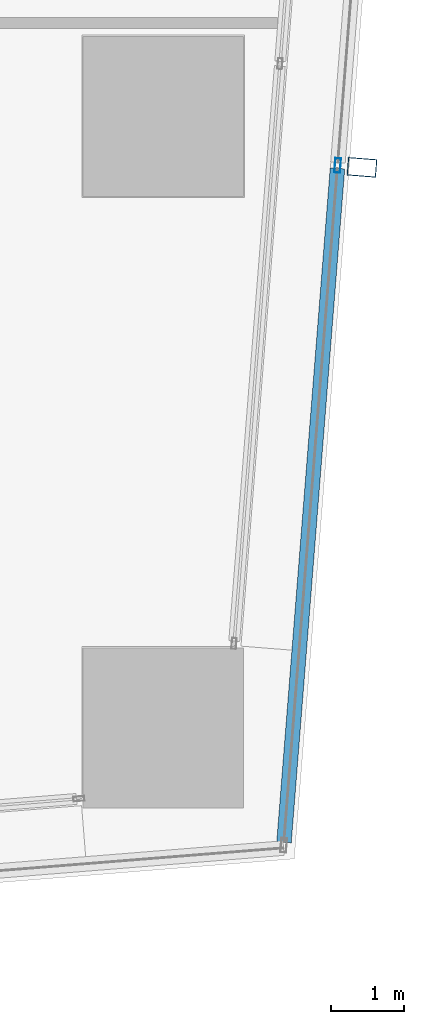
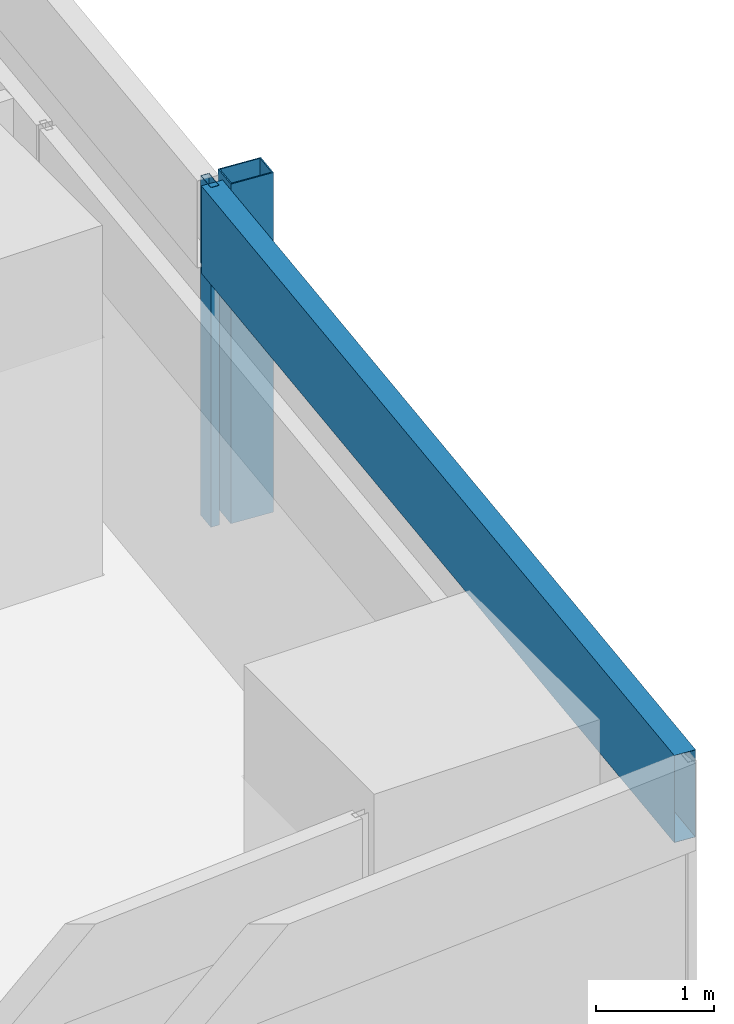
# One storey, part 25 of 45: 3 members, 1 element without a shape of its own.
"""IFC4 building model written with IfcOpenShell, lengths in metres."""

from ifc_helpers import new_model, si_unit, direction, frame, origin, origin_2d, place, context, subcontext, project, spatial, hollow_rectangle, extrude, material, material_profile, profile_set, type_object, element, aggregate, save


model = new_model("IFC4")

# Units and contexts
model_context = context("Model", 3, precision=1e-05, world=origin(), true_north=direction((0.0, 1.0)))
body_context = subcontext(model_context, "Body", "Model", "MODEL_VIEW")
ifc_project = project(units=[si_unit("LENGTHUNIT", "METRE"), si_unit("AREAUNIT", "SQUARE_METRE"), si_unit("VOLUMEUNIT", "CUBIC_METRE"), si_unit("PLANEANGLEUNIT", "RADIAN"), si_unit("MASSUNIT", "GRAM", prefix="KILO")], contexts=[model_context])

# Site, building, storey
site_placement = place(None, origin())
site = spatial("IfcSite", under=ifc_project, at=site_placement, CompositionType="ELEMENT")
building_placement = place(site_placement, origin())
building = spatial("IfcBuilding", under=site, at=building_placement, Name="Rekha Terrace Tower", CompositionType="ELEMENT")
storey_placement = place(building_placement, frame((0.0, 0.0, 44.14990234375)))
storey = spatial("IfcBuildingStorey", under=building, at=storey_placement, Name="L10", CompositionType="ELEMENT", Elevation=44.14990234375)

# Curtain wall, members
ifc_material_1 = material(Name="Aluminium framing", Category="aluminium")
curtain_wall_type = type_object("IfcCurtainWallType", Name="CW2 double skin outer glazing", PredefinedType="USERDEFINED", material=ifc_material_1)
curtain_wall_placement = place(storey_placement, origin())
curtain_wall = element("IfcCurtainWall", 1, at=curtain_wall_placement, inside=storey, type_object=curtain_wall_type, Name="CW2 double skin outer glazing", ObjectType="DOUBLE SKIN OUTER GLAZING", PredefinedType="USERDEFINED")
ifc_material_2 = material(Name="Steel S355 with fluorocarbon finish", Category="steel")
ifc_material_profile_1 = material_profile(ifc_material_2, hollow_rectangle(XDim=0.25, YDim=0.39990234375, WallThickness=0.012451171875, at=origin_2d()), Name="RHS400x250x12.5")
ifc_profile_set_1 = profile_set([ifc_material_profile_1], Name="Steel S355 with fluorocarbon finish")
member_type_1 = type_object("IfcMemberType", Name="BL1 facade blade RHS 400 x 250", PredefinedType="USERDEFINED", material=ifc_profile_set_1)
member_1_placement = place(storey_placement, frame((69.929443359375, 16.099365234375, 0.0), z_axis=(0.0, 0.0, 1.0), x_axis=(0.079116779322, 0.996865354614, 0.0)))
member_1 = element("IfcMember", 2, at=member_1_placement, type_object=member_type_1, Name="Facade blade", ObjectType="FACADE BLADE", PredefinedType="USERDEFINED", context=body_context, shape_type="SweptSolid", body=[
    extrude(hollow_rectangle(XDim=0.25, YDim=0.39990234375, WallThickness=0.012451171875, at=origin_2d()), origin(), (0.0, 0.0, 1.0), 3.5),
])
ifc_material_3 = material(Name="Aluminium mullion section", Category="aluminium")
ifc_material_profile_2 = material_profile(ifc_material_3, hollow_rectangle(XDim=0.080078125, YDim=0.199951171875, WallThickness=0.00390625, at=origin_2d()), Name="AL RHS 80x200")
ifc_profile_set_2 = profile_set([ifc_material_profile_2], Name="Aluminium mullion section")
member_type_2 = type_object("IfcMemberType", Name="CW2 mullion RHS 80 x 200", PredefinedType="MULLION", material=ifc_profile_set_2)
member_2_placement = place(storey_placement, frame((69.595458984375, 16.125732421875, 0.0), z_axis=(0.0, 0.0, 1.0), x_axis=(-0.996865392575, 0.079116301017, 0.0)))
member_2 = element("IfcMember", 3, at=member_2_placement, type_object=member_type_2, Name="CW2 mullion 2", PredefinedType="MULLION", context=body_context, shape_type="SweptSolid", body=[
    extrude(hollow_rectangle(XDim=0.080078125, YDim=0.199951171875, WallThickness=0.00390625, at=origin_2d()), origin(), (0.0, 0.0, 1.0), 3.5),
])
ifc_material_4 = material(Name="Insulated aluminium spandrel box", Category="aluminium")
ifc_material_profile_3 = material_profile(ifc_material_4, hollow_rectangle(XDim=0.199951171875, YDim=0.89990234375, WallThickness=0.0029296875, at=origin_2d()), Name="AL SPANDREL BOX 200x900")
ifc_profile_set_3 = profile_set([ifc_material_profile_3], Name="Insulated aluminium spandrel box")
member_type_3 = type_object("IfcMemberType", Name="CW2 spandrel transom 200 x 900", PredefinedType="USERDEFINED", material=ifc_profile_set_3)
member_3_placement = place(storey_placement, frame((68.857666015625, 6.828369140625, 3.050048828125), z_axis=(0.079104689968, 0.996866314019, 0.0), x_axis=(-0.996866314019, 0.079104689968, 0.0)))
member_3 = element("IfcMember", 4, at=member_3_placement, type_object=member_type_3, Name="CW2 spandrel transom 1", ObjectType="TRANSOM", PredefinedType="USERDEFINED", context=body_context, shape_type="SweptSolid", body=[
    extrude(hollow_rectangle(XDim=0.199951171875, YDim=0.89990234375, WallThickness=0.0029296875, at=origin_2d()), origin(), (0.0, 0.0, 1.0), 9.28662109375),
])
aggregate(curtain_wall, [member_2, member_3, member_1])

save(model, "model.ifc")
